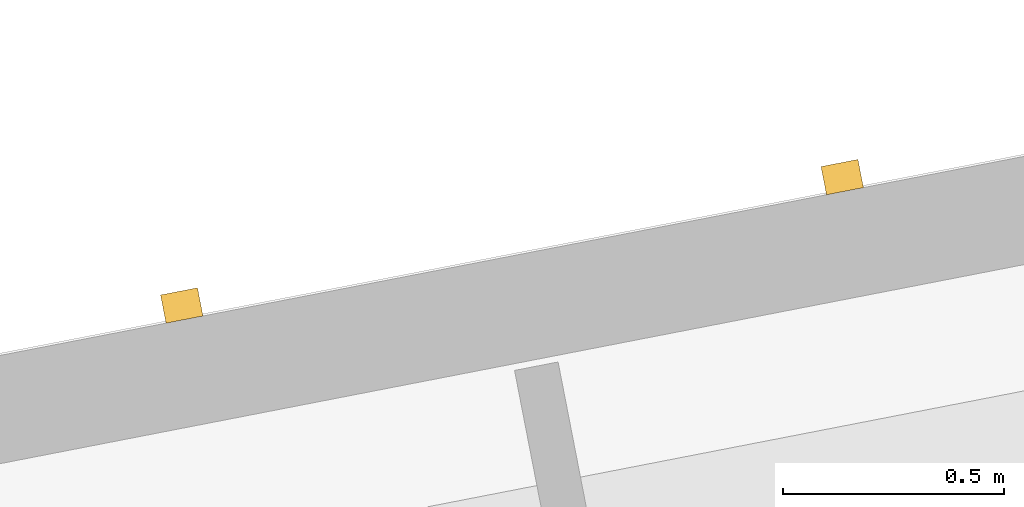
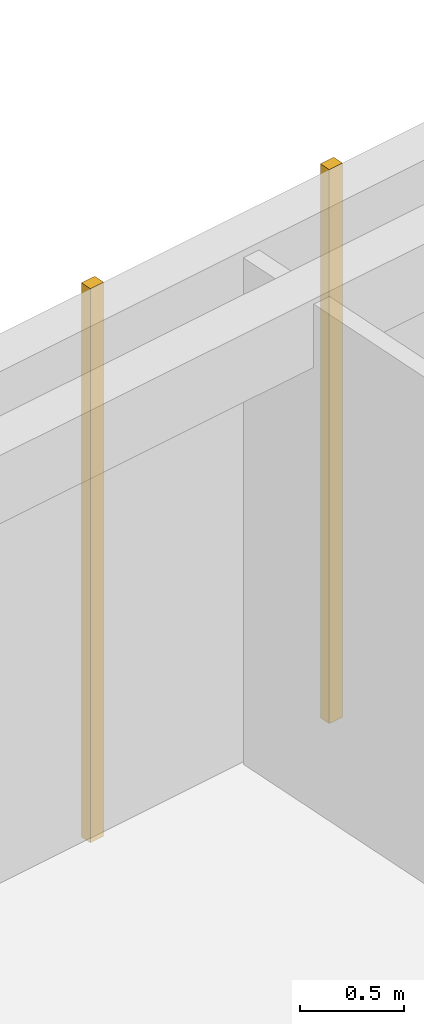
# One storey, part 57 of 68: 2 coverings.
"""IFC4 building model written with IfcOpenShell, lengths in metres."""

from ifc_helpers import new_model, si_unit, direction, frame, origin, origin_2d, place, context, subcontext, project, spatial, rectangle, extrude, material, layer, layer_set, type_object, element, save


model = new_model("IFC4")

# Units and contexts
model_context = context("Model", 3, precision=1e-05, world=origin(), true_north=direction((0.0, 1.0)))
body_context = subcontext(model_context, "Body", "Model", "MODEL_VIEW")
ifc_project = project(units=[si_unit("LENGTHUNIT", "METRE"), si_unit("AREAUNIT", "SQUARE_METRE"), si_unit("VOLUMEUNIT", "CUBIC_METRE"), si_unit("PLANEANGLEUNIT", "RADIAN"), si_unit("MASSUNIT", "GRAM", prefix="KILO")], contexts=[model_context])

# Site, building, storey
site_placement = place(None, origin())
site = spatial("IfcSite", under=ifc_project, at=site_placement, CompositionType="ELEMENT")
building_placement = place(site_placement, origin())
building = spatial("IfcBuilding", under=site, at=building_placement, Name="Kestramere Prow Commons", CompositionType="ELEMENT")
storey_placement = place(building_placement, frame((0.0, 0.0, 18.14990234375)))
storey = spatial("IfcBuildingStorey", under=building, at=storey_placement, Name="L05", CompositionType="ELEMENT", Elevation=18.14990234375)

# Coverings
ifc_material = material(Name="Weathered Zinc-Titanium Standing-Seam Cladding")
ifc_layer = layer(ifc_material, 0.074951171875)
ifc_layer_set = layer_set([ifc_layer], Name="Weathered Zinc-Titanium Standing-Seam Cladding")
covering_type = type_object("IfcCoveringType", Name="COV-CLAD-SEAM", PredefinedType="CLADDING", material=ifc_layer_set)
for number, where, z_axis, x_axis, name in (
    (1, (124.975341796875, 55.93505859375, -0.25), (0.0, 0.0, 1.0), (0.981627183448, 0.190808995377, 0.0), "EW-D-L05-N-1 Standing-Seam Rib 2"),
    (2, (126.467529296875, 56.22509765625, -0.25), (0.0, 0.0, 1.0), (0.981627183448, 0.190808995377, 0.0), "EW-D-L05-N-1 Standing-Seam Rib 3"),
):
    element("IfcCovering", number, at=place(storey_placement, frame(where, z_axis=z_axis, x_axis=x_axis)), inside=storey, type_object=covering_type, Name=name, PredefinedType="CLADDING", context=body_context, shape_type="SweptSolid", body=[
        extrude(rectangle(XDim=0.0849609375, YDim=0.06494140625, at=origin_2d()), origin(), (0.0, 0.0, 1.0), 3.25),
    ])

save(model, "model.ifc")
